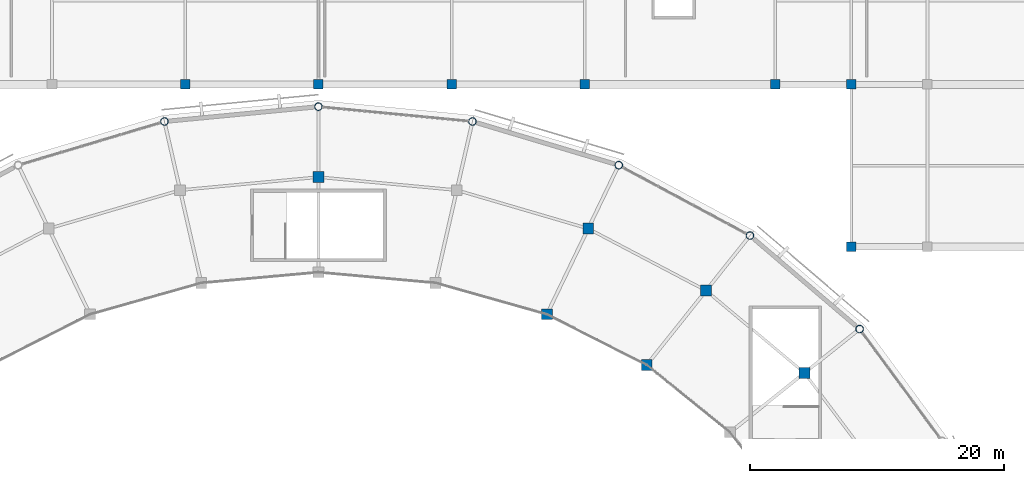
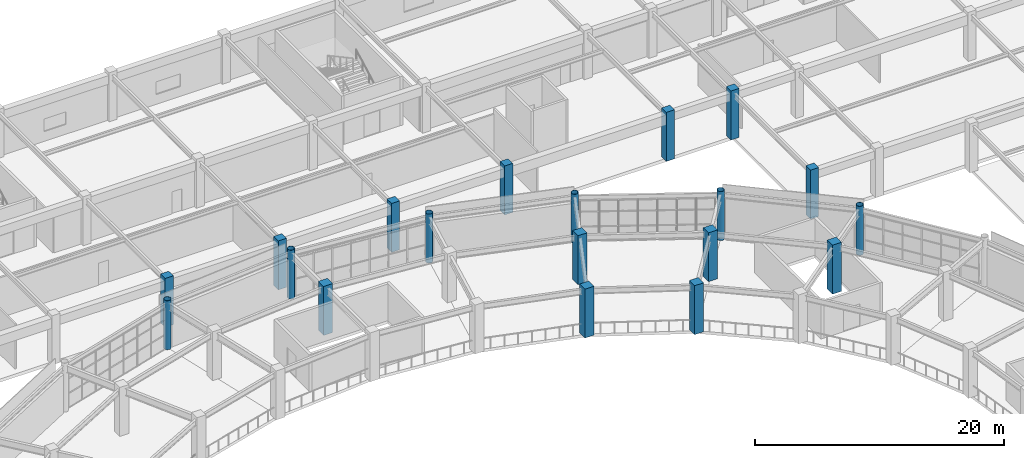
# One storey, part 10 of 112: 19 columns.
"""IFC4 building model written with IfcOpenShell, lengths in metres."""

import ifcopenshell
import ifcopenshell.guid

model = None  # the IFC model being written
_history = None  # IfcOwnerHistory: only IFC2X3 demands one
_inside = {}  # id of a spatial element -> (the spatial element, [elements in it])
_under = {}  # id of a project, library or spatial element -> (it, [spatial elements below it])
_declared = {}  # id of a project -> (the project, [libraries it declares])
_typed = {}  # id of a type object -> (the type object, [elements of that type])
_made_of = {}  # id of a material, layer set ... -> (it, [elements and type objects made of it])


def new_model(schema):
    """Start an empty IFC model of exactly this schema.

    Asked for "IFC4X3", IfcOpenShell would pick the latest addendum, in which some entities
    have other attributes; the version numbers below select the first issue.
    IFC2X3 requires an IfcOwnerHistory on every rooted entity: one is made here for all.
    """
    global model, _history
    if schema == "IFC4X3":
        model = ifcopenshell.file(schema_version=(4, 3, 0, 0))
    else:
        model = ifcopenshell.file(schema=schema)
    _inside.clear()
    _under.clear()
    _declared.clear()
    _typed.clear()
    _made_of.clear()
    _history = None
    if model.schema == "IFC2X3":
        org = make("IfcOrganization", Name="unknown")
        user = make(
            "IfcPersonAndOrganization",
            ThePerson=make("IfcPerson", FamilyName="unknown"),
            TheOrganization=org,
        )
        app = make(
            "IfcApplication",
            ApplicationDeveloper=org,
            Version="unknown",
            ApplicationFullName="unknown",
            ApplicationIdentifier="unknown",
        )
        _history = make(
            "IfcOwnerHistory",
            OwningUser=user,
            OwningApplication=app,
            ChangeAction="ADDED",
            CreationDate=0,
        )
    return model


def make(cls, **values):
    """One entity of the class cls with the attributes given. An attribute that is None is left unset."""
    return model.create_entity(
        cls, **{name: value for name, value in values.items() if value is not None}
    )


def rooted(cls, **values):
    """An entity with a GlobalId (a new one), such as an element, a storey or a relation."""
    return make(cls, GlobalId=ifcopenshell.guid.new(), OwnerHistory=_history, **values)


def si_unit(unit_type, name, prefix=None):
    """IfcSIUnit, for example si_unit("LENGTHUNIT", "METRE", prefix="MILLI")."""
    return make("IfcSIUnit", UnitType=unit_type, Prefix=prefix, Name=name)


def assignment(units):
    """IfcUnitAssignment: the units of a project."""
    return None if units is None else make("IfcUnitAssignment", Units=units)


def point(xyz):
    """IfcCartesianPoint."""
    return None if xyz is None else make("IfcCartesianPoint", Coordinates=xyz)


def direction(xyz):
    """IfcDirection."""
    return None if xyz is None else make("IfcDirection", DirectionRatios=xyz)


def frame(location, z_axis=None, x_axis=None):
    """IfcAxis2Placement3D, a coordinate frame: its origin and axes. An axis left out is left unset."""
    return make(
        "IfcAxis2Placement3D",
        Location=point(location),
        Axis=direction(z_axis),
        RefDirection=direction(x_axis),
    )


def frame_2d(location, x_axis=None):
    """IfcAxis2Placement2D, a coordinate frame in the plane: its origin and x axis."""
    return make(
        "IfcAxis2Placement2D", Location=point(location), RefDirection=direction(x_axis)
    )


def origin():
    """The frame at (0, 0, 0) with its axes left unset."""
    return frame((0.0, 0.0, 0.0))


def origin_2d():
    """The frame at (0, 0) in the plane with its x axis left unset."""
    return frame_2d((0.0, 0.0))


def place(relative_to, where):
    """IfcLocalPlacement: puts the frame where relative to a parent placement (None: the world)."""
    return make(
        "IfcLocalPlacement", PlacementRelTo=relative_to, RelativePlacement=where
    )


def context(
    kind, dimensions, precision=None, world=None, true_north=None, identifier=None
):
    """IfcGeometricRepresentationContext, for example the 3D "Model" context."""
    return make(
        "IfcGeometricRepresentationContext",
        ContextIdentifier=identifier,
        ContextType=kind,
        CoordinateSpaceDimension=dimensions,
        Precision=precision,
        WorldCoordinateSystem=world,
        TrueNorth=true_north,
    )


def subcontext(parent, identifier, kind, view, scale=None):
    """IfcGeometricRepresentationSubContext, for example "Body" below "Model"."""
    return make(
        "IfcGeometricRepresentationSubContext",
        ContextIdentifier=identifier,
        ContextType=kind,
        ParentContext=parent,
        TargetScale=scale,
        TargetView=view,
    )


def project(units=None, contexts=None):
    """IfcProject with its units and contexts."""
    return rooted(
        "IfcProject",
        Name="project",
        RepresentationContexts=contexts,
        UnitsInContext=assignment(units),
    )


def spatial(cls, under=None, at=None, **own):
    """A site, building, storey or space (cls), placed at a placement, below another one or the project."""
    s = rooted(cls, ObjectPlacement=at, **own)
    if under is not None:
        _under.setdefault(under.id(), (under, []))[1].append(s)
    return s


def profile(cls, at=None, kind="AREA", **sizes):
    """A parametric profile (cls). Its sizes go by their IFC names, for example OverallWidth=200.0."""
    return make(cls, ProfileType=kind, Position=at, **sizes)


def rectangle(**sizes):
    """IfcRectangleProfileDef."""
    return profile("IfcRectangleProfileDef", **sizes)


def hollow_circle(**sizes):
    """IfcCircleHollowProfileDef."""
    return profile("IfcCircleHollowProfileDef", **sizes)


def extrude(swept, where, along, depth):
    """IfcExtrudedAreaSolid: the profile swept, set in the frame where, extruded along a direction by depth."""
    return make(
        "IfcExtrudedAreaSolid",
        SweptArea=swept,
        Position=where,
        ExtrudedDirection=direction(along),
        Depth=depth,
    )


def shape(context_of_items, identifier, shape_type, items):
    """IfcShapeRepresentation: the items that make up one representation, for example the "Body"."""
    return make(
        "IfcShapeRepresentation",
        ContextOfItems=context_of_items,
        RepresentationIdentifier=identifier,
        RepresentationType=shape_type,
        Items=items,
    )


def material(Name=None, Category=None):
    """IfcMaterial."""
    return make("IfcMaterial", Name=Name, Category=Category)


def material_profile(
    of_material, cross_section, Name=None, Category=None, Priority=None
):
    """IfcMaterialProfile: a cross section and its material."""
    return make(
        "IfcMaterialProfile",
        Name=Name,
        Material=of_material,
        Profile=cross_section,
        Priority=Priority,
        Category=Category,
    )


def profile_set(profiles, Name=None, composite=None):
    """IfcMaterialProfileSet."""
    return make(
        "IfcMaterialProfileSet",
        Name=Name,
        MaterialProfiles=profiles,
        CompositeProfile=composite,
    )


def made_of(thing, what):
    """Note that an element or type object is made of a material, layer set ...; save() writes the relation."""
    if what is not None:
        _made_of.setdefault(what.id(), (what, []))[1].append(thing)
    return thing


def type_object(cls, material=None, **own):
    """A type object (cls), such as IfcWallType, which elements share."""
    return made_of(rooted(cls, **own), material)


def element(
    cls,
    number,
    at=None,
    inside=None,
    cuts=None,
    type_object=None,
    material=None,
    context=None,
    identifier="Body",
    shape_type=None,
    held_by="IfcProductDefinitionShape",
    body=None,
    shapes=None,
    **own,
):
    """One element of the class cls, such as IfcWall. Its Tag is "e" and its number.

    at: its placement. inside: the storey or other place that contains it. cuts: it is an
    opening in that element (IfcRelVoidsElement). A single representation is given by context,
    identifier, shape_type and body (its items); several are given by shapes. held_by: the class
    of the entity that holds the representations. save() writes the other relations.
    """
    e = rooted(cls, Tag="e%d" % number, ObjectPlacement=at, **own)
    if body is not None:
        shapes = [shape(context, identifier, shape_type, body)]
    if shapes is not None:
        e.Representation = make(held_by, Representations=shapes)
    if inside is not None:
        _inside.setdefault(inside.id(), (inside, []))[1].append(e)
    if cuts is not None:
        rooted(
            "IfcRelVoidsElement", RelatingBuildingElement=cuts, RelatedOpeningElement=e
        )
    if type_object is not None:
        _typed.setdefault(type_object.id(), (type_object, []))[1].append(e)
    return made_of(e, material)


def aggregate(whole, parts):
    """IfcRelAggregates: a whole, such as a stair, and the parts it consists of."""
    return rooted("IfcRelAggregates", RelatingObject=whole, RelatedObjects=parts)


def save(model, path):
    """Write the relations noted so far, then the file.

    IfcRelAggregates (storeys below a building ...), IfcRelContainedInSpatialStructure (elements
    in a storey), IfcRelDefinesByType, IfcRelAssociatesMaterial and IfcRelDeclares: one each for
    every whole, place, type object, material and project.
    """
    for whole, parts in _under.values():
        aggregate(whole, parts)
    for where, things in _inside.values():
        rooted(
            "IfcRelContainedInSpatialStructure",
            RelatedElements=things,
            RelatingStructure=where,
        )
    for kind, things in _typed.values():
        rooted("IfcRelDefinesByType", RelatedObjects=things, RelatingType=kind)
    for what, things in _made_of.values():
        rooted("IfcRelAssociatesMaterial", RelatedObjects=things, RelatingMaterial=what)
    for by, libraries in _declared.values():
        rooted("IfcRelDeclares", RelatingContext=by, RelatedDefinitions=libraries)
    model.write(path)


model = new_model("IFC4")

# Units and contexts
model_context = context("Model", 3, precision=1e-05, world=origin(), true_north=direction((0.0, 1.0)))
body_context = subcontext(model_context, "Body", "Model", "MODEL_VIEW")
ifc_project = project(units=[si_unit("LENGTHUNIT", "METRE"), si_unit("AREAUNIT", "SQUARE_METRE"), si_unit("VOLUMEUNIT", "CUBIC_METRE"), si_unit("PLANEANGLEUNIT", "RADIAN"), si_unit("MASSUNIT", "GRAM", prefix="KILO")], contexts=[model_context])

# Site, building, storey
site_placement = place(None, origin())
site = spatial("IfcSite", under=ifc_project, at=site_placement, CompositionType="ELEMENT")
building_placement = place(site_placement, origin())
building = spatial("IfcBuilding", under=site, at=building_placement, Name="Cuetzalor Civic Arena", CompositionType="ELEMENT")
storey_placement = place(building_placement, frame((0.0, 0.0, 11.39990234375)))
storey = spatial("IfcBuildingStorey", under=building, at=storey_placement, Name="L02", CompositionType="ELEMENT", Elevation=11.39990234375)

# Columns
ifc_material_1 = material(Name="Concrete C40/50", Category="concrete")
ifc_material_profile_1 = material_profile(ifc_material_1, rectangle(XDim=0.75, YDim=0.75, at=origin_2d()), Name="RC 750x750")
ifc_profile_set_1 = profile_set([ifc_material_profile_1], Name="Concrete C40/50")
column_type_1 = type_object("IfcColumnType", Name="ConcreteColumn_750", PredefinedType="COLUMN", material=ifc_profile_set_1)
for number, where, z_axis, x_axis, name in (
    (1, (-10.5, 48.300048828125, 0.0), (0.0, 0.0, 1.0), (1.0, 0.0, 0.0), "Column V5-C-07-02 L02"),
    (2, (0.0, 48.300048828125, 0.0), (0.0, 0.0, 1.0), (1.0, 0.0, 0.0), "Column V5-C-08-02 L02"),
    (3, (10.5, 48.300048828125, 0.0), (0.0, 0.0, 1.0), (1.0, 0.0, 0.0), "Column V5-C-09-02 L02"),
    (4, (21.0, 48.300048828125, 0.0), (0.0, 0.0, 1.0), (1.0, 0.0, 0.0), "Column V5-C-10-02 L02"),
    (5, (36.0, 48.300048828125, 0.0), (0.0, 0.0, 1.0), (1.0, 0.0, 0.0), "Column V5-C-11-02 L02"),
    (6, (42.0, 35.5, 0.0), (0.0, 0.0, 1.0), (1.0, 0.0, 0.0), "Column V5-C-12-01 L02"),
    (7, (42.0, 48.300048828125, 0.0), (0.0, 0.0, 1.0), (1.0, 0.0, 0.0), "Column V5-C-12-02 L02"),
):
    element("IfcColumn", number, at=place(storey_placement, frame(where, z_axis=z_axis, x_axis=x_axis)), inside=storey, type_object=column_type_1, Name=name, PredefinedType="COLUMN", context=body_context, shape_type="SweptSolid", body=[
        extrude(rectangle(XDim=0.75, YDim=0.75, at=origin_2d()), origin(), (0.0, 0.0, 1.0), 4.800048828125),
    ])
ifc_material_2 = material(Name="Concrete C40/50", Category="concrete")
ifc_material_profile_2 = material_profile(ifc_material_2, rectangle(XDim=0.85009765625, YDim=0.85009765625, at=origin_2d()), Name="RC 850x850")
ifc_profile_set_2 = profile_set([ifc_material_profile_2], Name="Concrete C40/50")
column_type_2 = type_object("IfcColumnType", Name="ConcreteColumn_850", PredefinedType="COLUMN", material=ifc_profile_set_2)
for number, where, z_axis, x_axis, name in (
    (8, (38.309814453125, 25.56298828125, 0.0), (0.0, 0.0, 1.0), (1.0, 0.0, 0.0), "Column V1-REC-04 L02"),
    (9, (30.551025390625, 32.05517578125, 0.0), (0.0, 0.0, 1.0), (1.0, 0.0, 0.0), "Column V1-REC-05 L02"),
    (10, (25.874755859375, 26.19140625, 0.0), (0.0, 0.0, 1.0), (1.0, 0.0, 0.0), "Column V1-MID-05 L02"),
    (11, (21.26025390625, 36.939697265625, 0.0), (0.0, 0.0, 1.0), (1.0, 0.0, 0.0), "Column V1-REC-06 L02"),
    (12, (18.006103515625, 30.1826171875, 0.0), (0.0, 0.0, 1.0), (1.0, 0.0, 0.0), "Column V1-MID-06 L02"),
    (13, (0.0, 41.0, 0.0), (0.0, 0.0, 1.0), (1.0, 0.0, 0.0), "Column V1-REC-08 L02"),
):
    element("IfcColumn", number, at=place(storey_placement, frame(where, z_axis=z_axis, x_axis=x_axis)), inside=storey, type_object=column_type_2, Name=name, PredefinedType="COLUMN", context=body_context, shape_type="SweptSolid", body=[
        extrude(rectangle(XDim=0.85009765625, YDim=0.85009765625, at=origin_2d()), origin(), (0.0, 0.0, 1.0), 4.800048828125),
    ])
ifc_material_3 = material(Name="Steel S355", Category="steel")
ifc_material_profile_3 = material_profile(ifc_material_3, hollow_circle(Radius=0.304931640625, WallThickness=0.02490234375, at=origin_2d()), Name="CHS 610x25")
ifc_profile_set_3 = profile_set([ifc_material_profile_3], Name="Steel S355")
column_type_3 = type_object("IfcColumnType", Name="SteelDomePylon_CHS610", PredefinedType="COLUMN", material=ifc_profile_set_3)
for number, where, z_axis, x_axis, name in (
    (14, (42.64892578125, 29.0234375, 0.0), (0.0, 0.0, 1.0), (1.0, 0.0, 0.0), "Column V1-PYL-04 L02"),
    (15, (34.011474609375, 36.394287109375, 0.0), (0.0, 0.0, 1.0), (1.0, 0.0, 0.0), "Column V1-PYL-05 L02"),
    (16, (23.66845703125, 41.940185546875, 0.0), (0.0, 0.0, 1.0), (1.0, 0.0, 0.0), "Column V1-PYL-06 L02"),
    (17, (12.138427734375, 45.3828125, 0.0), (0.0, 0.0, 1.0), (1.0, 0.0, 0.0), "Column V1-PYL-07 L02"),
    (18, (0.0, 46.550048828125, 0.0), (0.0, 0.0, 1.0), (1.0, 0.0, 0.0), "Column V1-PYL-08 L02"),
    (19, (-12.138427734375, 45.3828125, 0.0), (0.0, 0.0, 1.0), (1.0, 0.0, 0.0), "Column V1-PYL-09 L02"),
):
    element("IfcColumn", number, at=place(storey_placement, frame(where, z_axis=z_axis, x_axis=x_axis)), inside=storey, type_object=column_type_3, Name=name, PredefinedType="COLUMN", context=body_context, shape_type="SweptSolid", body=[
        extrude(hollow_circle(Radius=0.304931640625, WallThickness=0.02490234375, at=origin_2d()), origin(), (0.0, 0.0, 1.0), 4.800048828125),
    ])

save(model, "model.ifc")
